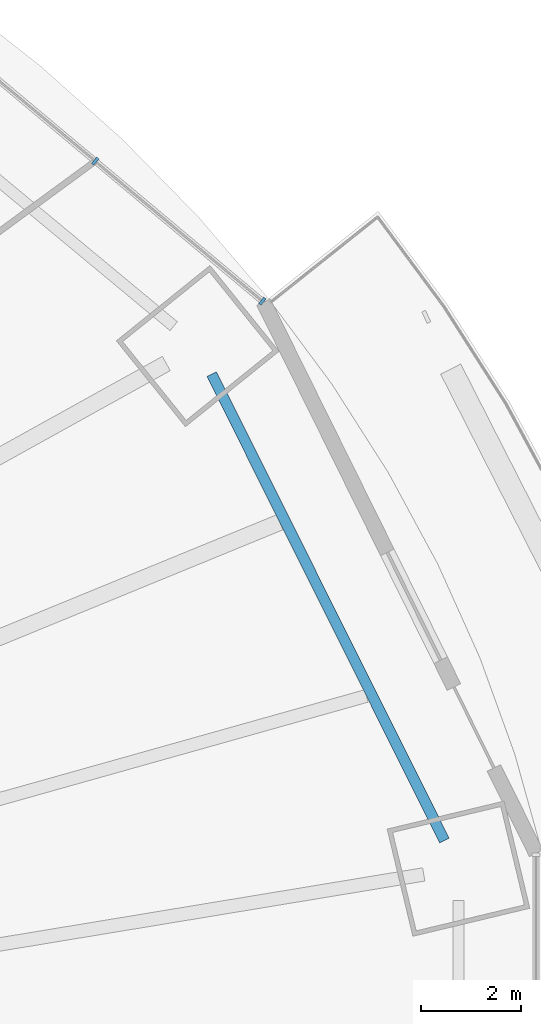
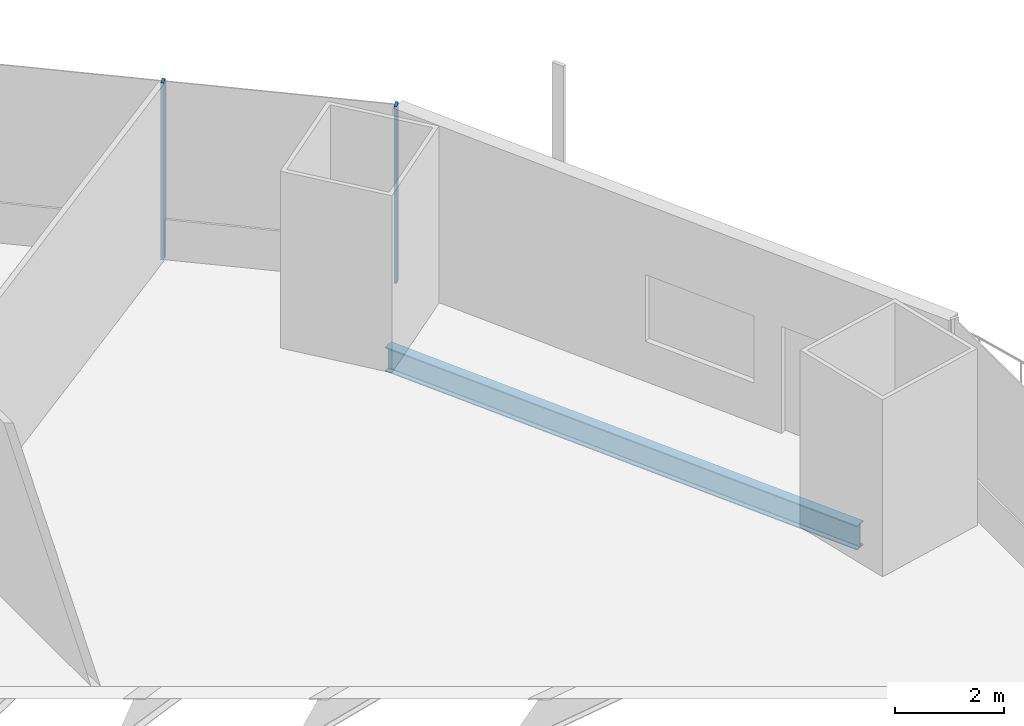
# One storey, part 12 of 23: 2 members, 1 beam, 1 element without a shape of its own.
"""IFC4 building model written with IfcOpenShell, lengths in metres."""

from ifc_helpers import new_model, si_unit, direction, frame, origin, origin_2d, place, context, subcontext, project, spatial, rectangle, i_section, extrude, material, material_profile, profile_set, type_object, element, aggregate, save


model = new_model("IFC4")

# Units and contexts
model_context = context("Model", 3, precision=1e-05, world=origin(), true_north=direction((0.0, 1.0)))
body_context = subcontext(model_context, "Body", "Model", "MODEL_VIEW")
ifc_project = project(units=[si_unit("LENGTHUNIT", "METRE"), si_unit("AREAUNIT", "SQUARE_METRE"), si_unit("VOLUMEUNIT", "CUBIC_METRE"), si_unit("PLANEANGLEUNIT", "RADIAN"), si_unit("MASSUNIT", "GRAM", prefix="KILO")], contexts=[model_context])

# Site, building, storey
site_placement = place(None, origin())
site = spatial("IfcSite", under=ifc_project, at=site_placement, CompositionType="ELEMENT")
building_placement = place(site_placement, origin())
building = spatial("IfcBuilding", under=site, at=building_placement, Name="Marenthal Gate Tower", CompositionType="ELEMENT")
storey_placement = place(building_placement, frame((0.0, 0.0, 45.449951171875)))
storey = spatial("IfcBuildingStorey", under=building, at=storey_placement, Name="L07", CompositionType="ELEMENT", Elevation=45.449951171875)

# Curtain wall, members
ifc_material_1 = material(Name="Aluminium and glass", Category="aluminium")
curtain_wall_type = type_object("IfcCurtainWallType", Name="Curtain wall typical low", PredefinedType="NOTDEFINED", material=ifc_material_1)
curtain_wall_placement = place(storey_placement, origin())
curtain_wall = element("IfcCurtainWall", 1, at=curtain_wall_placement, inside=storey, type_object=curtain_wall_type, Name="Curtain wall L07 bay 2", PredefinedType="NOTDEFINED")
ifc_material_2 = material(Name="Aluminium", Category="aluminium")
ifc_material_profile_1 = material_profile(ifc_material_2, rectangle(XDim=0.159912109375, YDim=0.06005859375, at=origin_2d()), Name="60x160 aluminium mullion")
ifc_profile_set_1 = profile_set([ifc_material_profile_1], Name="Aluminium")
member_type = type_object("IfcMemberType", Name="Mullion 60x160 typical low", PredefinedType="MULLION", material=ifc_profile_set_1)
member_1_placement = place(storey_placement, frame((30.274169921875, 16.972412109375, 0.0), z_axis=(0.0, 0.0, 1.0), x_axis=(-0.642047277641, -0.766665046336, 0.0)))
member_1 = element("IfcMember", 2, at=member_1_placement, type_object=member_type, Name="Mullion L07 bay 2.1", PredefinedType="MULLION", context=body_context, shape_type="SweptSolid", body=[
    extrude(rectangle(XDim=0.159912109375, YDim=0.06005859375, at=origin_2d()), origin(), (0.0, 0.0, 1.0), 3.969970703125),
])
member_2_placement = place(storey_placement, frame((26.938232421875, 19.76611328125, 0.0), z_axis=(0.0, 0.0, 1.0), x_axis=(-0.642047277641, -0.766665046336, 0.0)))
member_2 = element("IfcMember", 3, at=member_2_placement, type_object=member_type, Name="Mullion L07 bay 2.2", PredefinedType="MULLION", context=body_context, shape_type="SweptSolid", body=[
    extrude(rectangle(XDim=0.159912109375, YDim=0.06005859375, at=origin_2d()), origin(), (0.0, 0.0, 1.0), 3.969970703125),
])
aggregate(curtain_wall, [member_1, member_2])

# Beam
ifc_material_3 = material(Name="Steel S355", Category="steel")
ifc_material_profile_2 = material_profile(ifc_material_3, i_section(OverallWidth=0.2119140625, OverallDepth=0.5439453125, WebThickness=0.01318359375, FlangeThickness=0.021240234375, FilletRadius=0.0126953125, at=origin_2d()), Name="W530X123")
ifc_profile_set_2 = profile_set([ifc_material_profile_2], Name="Steel S355")
beam_type = type_object("IfcBeamType", Name="W530X123 beam", PredefinedType="BEAM", material=ifc_profile_set_2)
beam_placement = place(storey_placement, frame((33.9072265625, 6.207763671875, -0.451904296875), z_axis=(-0.446499954542, 0.894783655748, 0.0), x_axis=(-0.894783655748, -0.446499954542, 0.0)))
element("IfcBeam", 4, at=beam_placement, inside=storey, type_object=beam_type, Name="BM-L07-41", PredefinedType="BEAM", context=body_context, shape_type="SweptSolid", body=[
    extrude(i_section(OverallWidth=0.2119140625, OverallDepth=0.5439453125, WebThickness=0.01318359375, FlangeThickness=0.021240234375, FilletRadius=0.0126953125, at=origin_2d()), origin(), (0.0, 0.0, 1.0), 10.402099609375),
])

save(model, "model.ifc")
